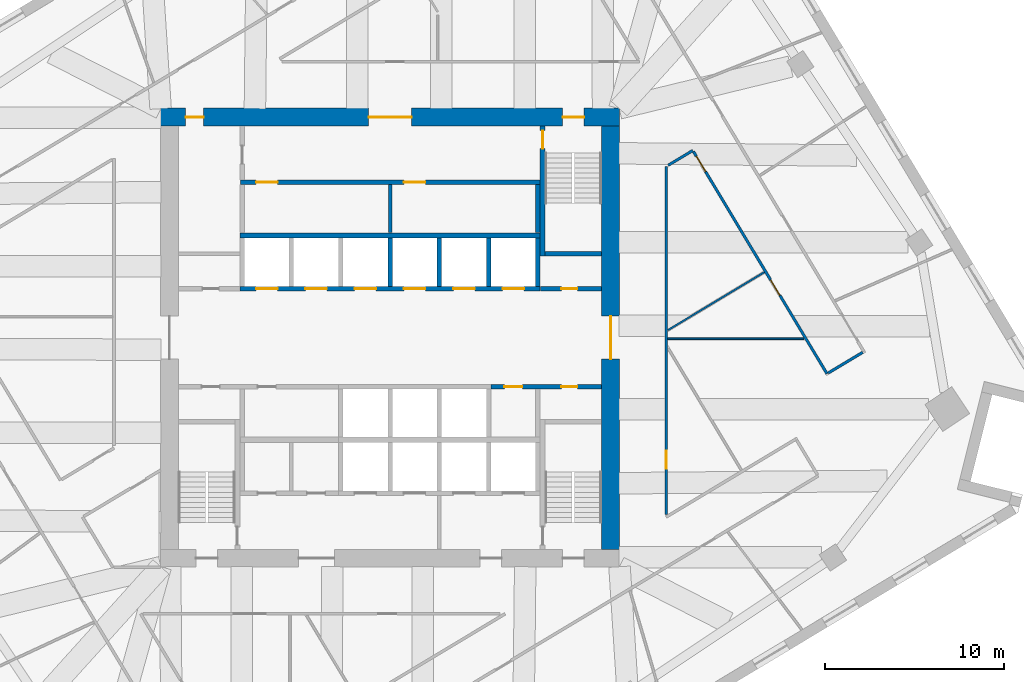
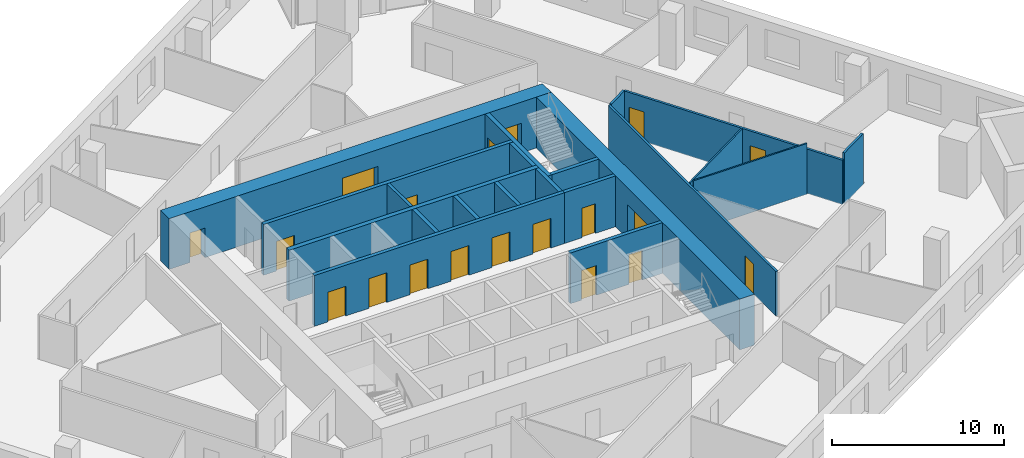
# One storey, part 9 of 14: 21 walls, 19 doors, 19 openings.
"""IFC4 building model written with IfcOpenShell, lengths in metres."""

from ifc_helpers import new_model, si_unit, direction, frame, frame_2d, origin, place, context, subcontext, project, spatial, rectangle, extrude, material, layer, layer_set, type_object, element, fill, save


model = new_model("IFC4")

# Units and contexts
model_context = context("Model", 3, precision=1e-05, world=origin(), true_north=direction((0.0, 1.0)))
body_context = subcontext(model_context, "Body", "Model", "MODEL_VIEW")
ifc_project = project(units=[si_unit("LENGTHUNIT", "METRE"), si_unit("AREAUNIT", "SQUARE_METRE"), si_unit("VOLUMEUNIT", "CUBIC_METRE"), si_unit("PLANEANGLEUNIT", "RADIAN"), si_unit("MASSUNIT", "GRAM", prefix="KILO")], contexts=[model_context])

# Site, building, storey
site_placement = place(None, origin())
site = spatial("IfcSite", under=ifc_project, at=site_placement, CompositionType="ELEMENT")
building_placement = place(site_placement, origin())
building = spatial("IfcBuilding", under=site, at=building_placement, Name="Dilmun Exchange Tower", CompositionType="ELEMENT")
storey_placement = place(building_placement, frame((0.0, 0.0, 147.699951171875)))
storey = spatial("IfcBuildingStorey", under=building, at=storey_placement, Name="L34", CompositionType="ELEMENT", Elevation=147.699951171875)

# Wall
ifc_material_1 = material(Name="Concrete C40/50", Category="concrete")
ifc_layer_1 = layer(ifc_material_1, 0.199951171875)
ifc_layer_set_1 = layer_set([ifc_layer_1], Name="Concrete C40/50")
wall_type_1 = type_object("IfcWallType", Name="Core partition wall 200", PredefinedType="PARTITIONING", material=ifc_layer_set_1)
wall_1_placement = place(storey_placement, frame((0.0, 5.85498046875, 0.0), z_axis=(0.0, 0.0, 1.0), x_axis=(0.0, 1.0, 0.0)))
element("IfcWall", 1, at=wall_1_placement, inside=storey, type_object=wall_type_1, Name="L34 core partition wall 14", PredefinedType="PARTITIONING", context=body_context, shape_type="SweptSolid", body=[
    extrude(rectangle(XDim=2.68994140625, YDim=0.199951171875, at=frame_2d((1.344970703125, 0.0))), origin(), (0.0, 0.0, 1.0), 3.60009765625),
])

# Wall, openings, doors
ifc_layer_2 = layer(ifc_material_1, 0.25)
ifc_layer_set_2 = layer_set([ifc_layer_2], Name="Concrete C40/50")
wall_type_2 = type_object("IfcWallType", Name="Core partition wall 250", PredefinedType="PARTITIONING", material=ifc_layer_set_2)
wall_2_placement = place(storey_placement, frame((5.6298828125, -2.72509765625, 0.0), z_axis=(0.0, 0.0, 1.0), x_axis=(1.0, 0.0, 0.0)))
wall_2 = element("IfcWall", 2, at=wall_2_placement, inside=storey, type_object=wall_type_2, Name="L34 core partition wall 09", PredefinedType="PARTITIONING", context=body_context, shape_type="SweptSolid", body=[
    extrude(rectangle(XDim=6.1650390625, YDim=0.25, at=frame_2d((3.08251953125, 0.0))), origin(), (0.0, 0.0, 1.0), 3.60009765625),
])
opening_1_placement = place(wall_2_placement, frame((0.7451171875, 0.0, 0.0)))
opening_1 = element("IfcOpeningElement", 3, at=opening_1_placement, cuts=wall_2, Name="Opening CD4", PredefinedType="OPENING", context=body_context, shape_type="SweptSolid", body=[
    extrude(rectangle(XDim=1.0, YDim=2.10009765625, at=frame_2d((0.5, 1.050048828125))), frame((0.0, 0.135009765625, 0.0), z_axis=(0.0, -1.0, 0.0), x_axis=(1.0, 0.0, 0.0)), (0.0, 0.0, 1.0), 0.27001953125),
])
opening_2_placement = place(wall_2_placement, frame((3.919921875, 0.0, 0.0)))
opening_2 = element("IfcOpeningElement", 4, at=opening_2_placement, cuts=wall_2, Name="Opening CD6", PredefinedType="OPENING", context=body_context, shape_type="SweptSolid", body=[
    extrude(rectangle(XDim=0.89990234375, YDim=2.10009765625, at=frame_2d((0.449951171875, 1.050048828125))), frame((0.0, 0.135009765625, 0.0), z_axis=(0.0, -1.0, 0.0), x_axis=(1.0, 0.0, 0.0)), (0.0, 0.0, 1.0), 0.27001953125),
])
ifc_material_2 = material(Name="Fire-rated steel door set", Category="steel")
door_type_1 = type_object("IfcDoorType", Name="Core room door 1000x2100", OperationType="SINGLE_SWING_LEFT", PredefinedType="DOOR", material=ifc_material_2)
door_1_placement = place(opening_1_placement, origin())
door_1 = element("IfcDoor", 5, at=door_1_placement, inside=storey, type_object=door_type_1, Name="L34 door Cleaners' store", OperationType="SINGLE_SWING_LEFT", OverallHeight=2.10009765625, OverallWidth=1.0, PredefinedType="DOOR", context=body_context, shape_type="SweptSolid", body=[
    extrude(rectangle(XDim=1.0, YDim=2.10009765625, at=frame_2d((0.5, 1.050048828125))), frame((0.0, 0.02490234375, 0.0), z_axis=(0.0, -1.0, 0.0), x_axis=(1.0, 0.0, 0.0)), (0.0, 0.0, 1.0), 0.050048828125),
])
fill(opening_1, door_1)
door_type_2 = type_object("IfcDoorType", Name="Core room door 900x2100", OperationType="SINGLE_SWING_LEFT", PredefinedType="DOOR", material=ifc_material_2)
door_2_placement = place(opening_2_placement, origin())
door_2 = element("IfcDoor", 6, at=door_2_placement, inside=storey, type_object=door_type_2, Name="L34 door Comms riser", OperationType="SINGLE_SWING_LEFT", OverallHeight=2.10009765625, OverallWidth=0.89990234375, PredefinedType="DOOR", context=body_context, shape_type="SweptSolid", body=[
    extrude(rectangle(XDim=0.89990234375, YDim=2.10009765625, at=frame_2d((0.449951171875, 1.050048828125))), frame((0.0, 0.02490234375, 0.0), z_axis=(0.0, -1.0, 0.0), x_axis=(1.0, 0.0, 0.0)), (0.0, 0.0, 1.0), 0.050048828125),
])
fill(opening_2, door_2)

# Wall, opening, door
wall_3_placement = place(storey_placement, frame((8.3798828125, 2.72509765625, 0.0), z_axis=(0.0, 0.0, 1.0), x_axis=(1.0, 0.0, 0.0)))
wall_3 = element("IfcWall", 7, at=wall_3_placement, inside=storey, type_object=wall_type_2, Name="L34 core partition wall 11", PredefinedType="PARTITIONING", context=body_context, shape_type="SweptSolid", body=[
    extrude(rectangle(XDim=3.4150390625, YDim=0.25, at=frame_2d((1.70751953125, 0.0))), origin(), (0.0, 0.0, 1.0), 3.60009765625),
])
opening_3_placement = place(wall_3_placement, frame((1.169921875, 0.0, 0.0)))
opening_3 = element("IfcOpeningElement", 8, at=opening_3_placement, cuts=wall_3, Name="Opening CD6", PredefinedType="OPENING", context=body_context, shape_type="SweptSolid", body=[
    extrude(rectangle(XDim=0.89990234375, YDim=2.10009765625, at=frame_2d((0.449951171875, 1.050048828125))), frame((0.0, 0.135009765625, 0.0), z_axis=(0.0, -1.0, 0.0), x_axis=(1.0, 0.0, 0.0)), (0.0, 0.0, 1.0), 0.27001953125),
])
door_3_placement = place(opening_3_placement, origin())
door_3 = element("IfcDoor", 9, at=door_3_placement, inside=storey, type_object=door_type_2, Name="L34 door Electrical riser", OperationType="SINGLE_SWING_LEFT", OverallHeight=2.10009765625, OverallWidth=0.89990234375, PredefinedType="DOOR", context=body_context, shape_type="SweptSolid", body=[
    extrude(rectangle(XDim=0.89990234375, YDim=2.10009765625, at=frame_2d((0.449951171875, 1.050048828125))), frame((0.0, 0.02490234375, 0.0), z_axis=(0.0, -1.0, 0.0), x_axis=(1.0, 0.0, 0.0)), (0.0, 0.0, 1.0), 0.050048828125),
])
fill(opening_3, door_3)

# Wall
wall_4_placement = place(storey_placement, frame((8.25, 5.85498046875, 0.0), z_axis=(0.0, 0.0, 1.0), x_axis=(0.0, 1.0, 0.0)))
element("IfcWall", 10, at=wall_4_placement, inside=storey, type_object=wall_type_2, Name="L34 core partition wall 15", PredefinedType="PARTITIONING", context=body_context, shape_type="SweptSolid", body=[
    extrude(rectangle(XDim=2.68994140625, YDim=0.25, at=frame_2d((1.344970703125, 0.0))), origin(), (0.0, 0.0, 1.0), 3.60009765625),
])

# Wall, openings, doors
wall_5_placement = place(storey_placement, frame((-8.35009765625, 8.675048828125, 0.0), z_axis=(0.0, 0.0, 1.0), x_axis=(1.0, 0.0, 0.0)))
wall_5 = element("IfcWall", 11, at=wall_5_placement, inside=storey, type_object=wall_type_2, Name="L34 core partition wall 16", PredefinedType="PARTITIONING", context=body_context, shape_type="SweptSolid", body=[
    extrude(rectangle(XDim=16.72021484375, YDim=0.25, at=frame_2d((8.360107421875, 0.0))), origin(), (0.0, 0.0, 1.0), 3.60009765625),
])
opening_4_placement = place(wall_5_placement, frame((0.875, 0.0, 0.0)))
opening_4 = element("IfcOpeningElement", 12, at=opening_4_placement, cuts=wall_5, Name="Opening CD3", PredefinedType="OPENING", context=body_context, shape_type="SweptSolid", body=[
    extrude(rectangle(XDim=1.199951171875, YDim=2.10009765625, at=frame_2d((0.60009765625, 1.050048828125))), frame((0.0, 0.135009765625, 0.0), z_axis=(0.0, -1.0, 0.0), x_axis=(1.0, 0.0, 0.0)), (0.0, 0.0, 1.0), 0.27001953125),
])
opening_5_placement = place(wall_5_placement, frame((9.125, 0.0, 0.0)))
opening_5 = element("IfcOpeningElement", 13, at=opening_5_placement, cuts=wall_5, Name="Opening CD3", PredefinedType="OPENING", context=body_context, shape_type="SweptSolid", body=[
    extrude(rectangle(XDim=1.199951171875, YDim=2.10009765625, at=frame_2d((0.60009765625, 1.050048828125))), frame((0.0, 0.135009765625, 0.0), z_axis=(0.0, -1.0, 0.0), x_axis=(1.0, 0.0, 0.0)), (0.0, 0.0, 1.0), 0.27001953125),
])
door_type_3 = type_object("IfcDoorType", Name="Stair exit door 1200x2100", OperationType="SINGLE_SWING_LEFT", PredefinedType="DOOR", material=ifc_material_2)
door_4_placement = place(opening_4_placement, origin())
door_4 = element("IfcDoor", 14, at=door_4_placement, inside=storey, type_object=door_type_3, Name="L34 door Tenant meeting suite", OperationType="SINGLE_SWING_LEFT", OverallHeight=2.10009765625, OverallWidth=1.199951171875, PredefinedType="DOOR", context=body_context, shape_type="SweptSolid", body=[
    extrude(rectangle(XDim=1.199951171875, YDim=2.10009765625, at=frame_2d((0.60009765625, 1.050048828125))), frame((0.0, 0.02490234375, 0.0), z_axis=(0.0, -1.0, 0.0), x_axis=(1.0, 0.0, 0.0)), (0.0, 0.0, 1.0), 0.050048828125),
])
fill(opening_4, door_4)
door_5_placement = place(opening_5_placement, origin())
door_5 = element("IfcDoor", 15, at=door_5_placement, inside=storey, type_object=door_type_3, Name="L34 door Tenant amenity store", OperationType="SINGLE_SWING_LEFT", OverallHeight=2.10009765625, OverallWidth=1.199951171875, PredefinedType="DOOR", context=body_context, shape_type="SweptSolid", body=[
    extrude(rectangle(XDim=1.199951171875, YDim=2.10009765625, at=frame_2d((0.60009765625, 1.050048828125))), frame((0.0, 0.02490234375, 0.0), z_axis=(0.0, -1.0, 0.0), x_axis=(1.0, 0.0, 0.0)), (0.0, 0.0, 1.0), 0.050048828125),
])
fill(opening_5, door_5)

ifc_material_3 = material(Name="Concrete C70/85", Category="concrete")
ifc_layer_3 = layer(ifc_material_3, 1.0)
ifc_layer_set_3 = layer_set([ifc_layer_3], Name="Concrete C70/85")
wall_type_3 = type_object("IfcWallType", Name="Core shear wall 1000 Concrete C70/85", PredefinedType="SHEAR", material=ifc_layer_set_3)
wall_6_placement = place(storey_placement, frame((-12.800048828125, 12.300048828125, 0.0), z_axis=(0.0, 0.0, 1.0), x_axis=(1.0, 0.0, 0.0)))
wall_6 = element("IfcWall", 16, at=wall_6_placement, inside=storey, type_object=wall_type_3, Name="L34 core shear wall N", PredefinedType="SHEAR", context=body_context, shape_type="SweptSolid", body=[
    extrude(rectangle(XDim=25.60009765625, YDim=1.0, at=frame_2d((12.800048828125, 0.0))), origin(), (0.0, 0.0, 1.0), 3.60009765625),
])
opening_6_placement = place(wall_6_placement, frame((11.60009765625, 0.0, 0.0)))
opening_6 = element("IfcOpeningElement", 17, at=opening_6_placement, cuts=wall_6, Name="Opening CD1", PredefinedType="OPENING", context=body_context, shape_type="SweptSolid", body=[
    extrude(rectangle(XDim=2.39990234375, YDim=2.39990234375, at=frame_2d((1.199951171875, 1.199951171875))), frame((0.0, 0.510009765625, 0.0), z_axis=(0.0, -1.0, 0.0), x_axis=(1.0, 0.0, 0.0)), (0.0, 0.0, 1.0), 1.02001953125),
])
opening_7_placement = place(wall_6_placement, frame((22.425048828125, 0.0, 0.0)))
opening_7 = element("IfcOpeningElement", 18, at=opening_7_placement, cuts=wall_6, Name="Opening CD3", PredefinedType="OPENING", context=body_context, shape_type="SweptSolid", body=[
    extrude(rectangle(XDim=1.199951171875, YDim=2.10009765625, at=frame_2d((0.60009765625, 1.050048828125))), frame((0.0, 0.510009765625, 0.0), z_axis=(0.0, -1.0, 0.0), x_axis=(1.0, 0.0, 0.0)), (0.0, 0.0, 1.0), 1.02001953125),
])
opening_8_placement = place(wall_6_placement, frame((1.39990234375, 0.0, 0.0)))
opening_8 = element("IfcOpeningElement", 19, at=opening_8_placement, cuts=wall_6, Name="Opening CD4", PredefinedType="OPENING", context=body_context, shape_type="SweptSolid", body=[
    extrude(rectangle(XDim=1.0, YDim=2.10009765625, at=frame_2d((0.5, 1.050048828125))), frame((0.0, 0.510009765625, 0.0), z_axis=(0.0, -1.0, 0.0), x_axis=(1.0, 0.0, 0.0)), (0.0, 0.0, 1.0), 1.02001953125),
])
door_type_4 = type_object("IfcDoorType", Name="Core lobby door 2400x2400", OperationType="DOUBLE_DOOR_DOUBLE_SWING", PredefinedType="DOOR", material=ifc_material_2)
door_6_placement = place(opening_6_placement, origin())
door_6 = element("IfcDoor", 20, at=door_6_placement, inside=storey, type_object=door_type_4, Name="L34 door North lift lobby", OperationType="SINGLE_SWING_LEFT", OverallHeight=2.39990234375, OverallWidth=2.39990234375, PredefinedType="DOOR", context=body_context, shape_type="SweptSolid", body=[
    extrude(rectangle(XDim=2.39990234375, YDim=2.39990234375, at=frame_2d((1.199951171875, 1.199951171875))), frame((0.0, 0.02490234375, 0.0), z_axis=(0.0, -1.0, 0.0), x_axis=(1.0, 0.0, 0.0)), (0.0, 0.0, 1.0), 0.050048828125),
])
fill(opening_6, door_6)
door_7_placement = place(opening_8_placement, origin())
door_7 = element("IfcDoor", 21, at=door_7_placement, inside=storey, type_object=door_type_1, Name="L34 door North-west core rooms", OperationType="SINGLE_SWING_LEFT", OverallHeight=2.10009765625, OverallWidth=1.0, PredefinedType="DOOR", context=body_context, shape_type="SweptSolid", body=[
    extrude(rectangle(XDim=1.0, YDim=2.10009765625, at=frame_2d((0.5, 1.050048828125))), frame((0.0, 0.02490234375, 0.0), z_axis=(0.0, -1.0, 0.0), x_axis=(1.0, 0.0, 0.0)), (0.0, 0.0, 1.0), 0.050048828125),
])
fill(opening_8, door_7)
door_8_placement = place(opening_7_placement, origin())
door_8 = element("IfcDoor", 22, at=door_8_placement, inside=storey, type_object=door_type_3, Name="L34 door Stair ST1", OperationType="SINGLE_SWING_LEFT", OverallHeight=2.10009765625, OverallWidth=1.199951171875, PredefinedType="DOOR", context=body_context, shape_type="SweptSolid", body=[
    extrude(rectangle(XDim=1.199951171875, YDim=2.10009765625, at=frame_2d((0.60009765625, 1.050048828125))), frame((0.0, 0.02490234375, 0.0), z_axis=(0.0, -1.0, 0.0), x_axis=(1.0, 0.0, 0.0)), (0.0, 0.0, 1.0), 0.050048828125),
])
fill(opening_7, door_8)

# Wall, opening, door
wall_7_placement = place(storey_placement, frame((12.300048828125, -11.800048828125, 0.0), z_axis=(0.0, 0.0, 1.0), x_axis=(0.0, 1.0, 0.0)))
wall_7 = element("IfcWall", 23, at=wall_7_placement, inside=storey, type_object=wall_type_3, Name="L34 core shear wall E", PredefinedType="SHEAR", context=body_context, shape_type="SweptSolid", body=[
    extrude(rectangle(XDim=23.60009765625, YDim=1.0, at=frame_2d((11.800048828125, 0.0))), origin(), (0.0, 0.0, 1.0), 3.60009765625),
])
opening_9_placement = place(wall_7_placement, frame((10.60009765625, 0.0, 0.0)))
opening_9 = element("IfcOpeningElement", 24, at=opening_9_placement, cuts=wall_7, Name="Opening CD1", PredefinedType="OPENING", context=body_context, shape_type="SweptSolid", body=[
    extrude(rectangle(XDim=2.39990234375, YDim=2.39990234375, at=frame_2d((1.199951171875, 1.199951171875))), frame((0.0, 0.510009765625, 0.0), z_axis=(0.0, -1.0, 0.0), x_axis=(1.0, 0.0, 0.0)), (0.0, 0.0, 1.0), 1.02001953125),
])
door_9_placement = place(opening_9_placement, origin())
door_9 = element("IfcDoor", 25, at=door_9_placement, inside=storey, type_object=door_type_4, Name="L34 door Central lift lobby", OperationType="SINGLE_SWING_LEFT", OverallHeight=2.39990234375, OverallWidth=2.39990234375, PredefinedType="DOOR", context=body_context, shape_type="SweptSolid", body=[
    extrude(rectangle(XDim=2.39990234375, YDim=2.39990234375, at=frame_2d((1.199951171875, 1.199951171875))), frame((0.0, 0.02490234375, 0.0), z_axis=(0.0, -1.0, 0.0), x_axis=(1.0, 0.0, 0.0)), (0.0, 0.0, 1.0), 0.050048828125),
])
fill(opening_9, door_9)

ifc_material_4 = material(Name="Corridor wall 150")
ifc_layer_4 = layer(ifc_material_4, 0.14990234375)
ifc_layer_set_4 = layer_set([ifc_layer_4], Name="Corridor wall 150")
wall_type_4 = type_object("IfcWallType", Name="Corridor wall 150", PredefinedType="PARTITIONING", material=ifc_layer_set_4)
wall_8_placement = place(storey_placement, frame((15.39990234375, -9.867431640625, 0.0), z_axis=(0.0, 0.0, 1.0), x_axis=(0.0, 1.0, 0.0)))
wall_8 = element("IfcWall", 26, at=wall_8_placement, inside=storey, type_object=wall_type_4, Name="Corridor wall", PredefinedType="PARTITIONING", context=body_context, shape_type="SweptSolid", body=[
    extrude(rectangle(XDim=19.41748046875, YDim=0.14990234375, at=frame_2d((9.708740234375, 0.0))), origin(), (0.0, 0.0, 1.0), 3.150146484375),
])
opening_10_placement = place(wall_8_placement, frame((2.550048828125, 0.0, 0.0)))
opening_10 = element("IfcOpeningElement", 27, at=opening_10_placement, cuts=wall_8, Name="Opening TF34-D17", PredefinedType="OPENING", context=body_context, shape_type="SweptSolid", body=[
    extrude(rectangle(XDim=1.0, YDim=2.10009765625, at=frame_2d((0.5, 1.050048828125))), frame((0.0, 0.0849609375, 0.0), z_axis=(0.0, -1.0, 0.0), x_axis=(1.0, 0.0, 0.0)), (0.0, 0.0, 1.0), 0.169921875),
])
ifc_material_5 = material(Name="Fire door 1000 x 2100")
door_type_5 = type_object("IfcDoorType", Name="Fire door 1000 x 2100", OperationType="NOTDEFINED", PredefinedType="DOOR", material=ifc_material_5)
door_10_placement = place(opening_10_placement, frame((1.0, 0.0, 0.0), z_axis=(0.0, 0.0, 1.0), x_axis=(-1.0, 0.0, 0.0)))
door_10 = element("IfcDoor", 28, at=door_10_placement, inside=storey, type_object=door_type_5, Name="Door TF34-D17", OperationType="SINGLE_SWING_RIGHT", OverallHeight=2.10009765625, OverallWidth=1.0, PredefinedType="DOOR", context=body_context, shape_type="SweptSolid", body=[
    extrude(rectangle(XDim=1.0, YDim=2.10009765625, at=frame_2d((0.5, 1.050048828125))), frame((0.0, 0.02490234375, 0.0), z_axis=(0.0, -1.0, 0.0), x_axis=(1.0, 0.0, 0.0)), (0.0, 0.0, 1.0), 0.050048828125),
])
fill(opening_10, door_10)

# Wall
wall_9_placement = place(storey_placement, frame((15.513671875, 9.618408203125, 0.0), z_axis=(0.0, 0.0, 1.0), x_axis=(0.857129434102, 0.515101090268, 0.0)))
element("IfcWall", 29, at=wall_9_placement, inside=storey, type_object=wall_type_4, Name="Corridor wall", PredefinedType="PARTITIONING", context=body_context, shape_type="SweptSolid", body=[
    extrude(rectangle(XDim=1.60107421875, YDim=0.14990234375, at=frame_2d((0.800537109375, 0.0))), origin(), (0.0, 0.0, 1.0), 3.150146484375),
])

# Wall, openings, doors
wall_10_placement = place(storey_placement, frame((16.924560546875, 10.378662109375, 0.0), z_axis=(0.0, 0.0, 1.0), x_axis=(0.515094231421, -0.857133555962, 0.0)))
wall_10 = element("IfcWall", 30, at=wall_10_placement, inside=storey, type_object=wall_type_4, Name="Corridor wall", PredefinedType="PARTITIONING", context=body_context, shape_type="SweptSolid", body=[
    extrude(rectangle(XDim=14.454833984375, YDim=0.14990234375, at=frame_2d((7.2275390625, 0.0))), origin(), (0.0, 0.0, 1.0), 3.150146484375),
])
opening_11_placement = place(wall_10_placement, frame((0.300048828125, 0.0, 0.0)))
opening_11 = element("IfcOpeningElement", 31, at=opening_11_placement, cuts=wall_10, Name="Opening TF34-D18", PredefinedType="OPENING", context=body_context, shape_type="SweptSolid", body=[
    extrude(rectangle(XDim=1.0, YDim=2.10009765625, at=frame_2d((0.5, 1.050048828125))), frame((0.0, 0.0849609375, 0.0), z_axis=(0.0, -1.0, 0.0), x_axis=(1.0, 0.0, 0.0)), (0.0, 0.0, 1.0), 0.169921875),
])
opening_12_placement = place(wall_10_placement, frame((8.34814453125, 0.0, 0.0)))
opening_12 = element("IfcOpeningElement", 32, at=opening_12_placement, cuts=wall_10, Name="Opening TF34-D20", PredefinedType="OPENING", context=body_context, shape_type="SweptSolid", body=[
    extrude(rectangle(XDim=1.0, YDim=2.10009765625, at=frame_2d((0.5, 1.050048828125))), frame((0.0, 0.0849609375, 0.0), z_axis=(0.0, -1.0, 0.0), x_axis=(1.0, 0.0, 0.0)), (0.0, 0.0, 1.0), 0.169921875),
])
door_11_placement = place(opening_11_placement, frame((1.0, 0.0, 0.0), z_axis=(0.0, 0.0, 1.0), x_axis=(-1.0, 0.0, 0.0)))
door_11 = element("IfcDoor", 33, at=door_11_placement, inside=storey, type_object=door_type_5, Name="Door TF34-D18", OperationType="SINGLE_SWING_RIGHT", OverallHeight=2.10009765625, OverallWidth=1.0, PredefinedType="DOOR", context=body_context, shape_type="SweptSolid", body=[
    extrude(rectangle(XDim=1.0, YDim=2.10009765625, at=frame_2d((0.5, 1.050048828125))), frame((0.0, 0.02490234375, 0.0), z_axis=(0.0, -1.0, 0.0), x_axis=(1.0, 0.0, 0.0)), (0.0, 0.0, 1.0), 0.050048828125),
])
fill(opening_11, door_11)
door_12_placement = place(opening_12_placement, frame((1.0, 0.0, 0.0), z_axis=(0.0, 0.0, 1.0), x_axis=(-1.0, 0.0, 0.0)))
door_12 = element("IfcDoor", 34, at=door_12_placement, inside=storey, type_object=door_type_5, Name="Door TF34-D20", OperationType="SINGLE_SWING_RIGHT", OverallHeight=2.10009765625, OverallWidth=1.0, PredefinedType="DOOR", context=body_context, shape_type="SweptSolid", body=[
    extrude(rectangle(XDim=1.0, YDim=2.10009765625, at=frame_2d((0.5, 1.050048828125))), frame((0.0, 0.02490234375, 0.0), z_axis=(0.0, -1.0, 0.0), x_axis=(1.0, 0.0, 0.0)), (0.0, 0.0, 1.0), 0.050048828125),
])
fill(opening_12, door_12)

# Walls
wall_11_placement = place(storey_placement, frame((24.434326171875, -1.972412109375, 0.0), z_axis=(0.0, 0.0, 1.0), x_axis=(0.857176787658, 0.515022285634, 0.0)))
element("IfcWall", 35, at=wall_11_placement, inside=storey, type_object=wall_type_4, Name="Corridor wall", PredefinedType="PARTITIONING", context=body_context, shape_type="SweptSolid", body=[
    extrude(rectangle(XDim=2.249755859375, YDim=0.14990234375, at=frame_2d((1.125, 0.0))), origin(), (0.0, 0.0, 1.0), 3.60009765625),
])
ifc_layer_5 = layer(ifc_material_1, 0.300048828125)
ifc_layer_set_5 = layer_set([ifc_layer_5], Name="Concrete C40/50")
wall_type_5 = type_object("IfcWallType", Name="Lift shaft shared wall 300", PredefinedType="SOLIDWALL", material=ifc_layer_set_5)
wall_12_placement = place(storey_placement, frame((-8.375, 5.699951171875, 0.0), z_axis=(0.0, 0.0, 1.0), x_axis=(1.0, 0.0, 0.0)))
element("IfcWall", 36, at=wall_12_placement, inside=storey, type_object=wall_type_5, Name="L34 lift shaft rear wall N", PredefinedType="SOLIDWALL", context=body_context, shape_type="SweptSolid", body=[
    extrude(rectangle(XDim=16.75, YDim=0.300048828125, at=frame_2d((8.375, 0.0))), origin(), (0.0, 0.0, 1.0), 3.60009765625),
])

# Wall, openings, doors
ifc_layer_6 = layer(ifc_material_1, 0.25)
ifc_layer_set_6 = layer_set([ifc_layer_6], Name="Concrete C40/50")
wall_type_6 = type_object("IfcWallType", Name="Lift shaft wall 250", PredefinedType="SOLIDWALL", material=ifc_layer_set_6)
wall_13_placement = place(storey_placement, frame((-8.375, 2.72509765625, 0.0), z_axis=(0.0, 0.0, 1.0), x_axis=(1.0, 0.0, 0.0)))
wall_13 = element("IfcWall", 37, at=wall_13_placement, inside=storey, type_object=wall_type_6, Name="L34 lift shaft front wall N1", PredefinedType="SOLIDWALL", context=body_context, shape_type="SweptSolid", body=[
    extrude(rectangle(XDim=16.75, YDim=0.25, at=frame_2d((8.375, 0.0))), origin(), (0.0, 0.0, 1.0), 3.60009765625),
])
opening_13_placement = place(wall_13_placement, frame((0.89990234375, 0.0, 0.0)))
opening_13 = element("IfcOpeningElement", 38, at=opening_13_placement, cuts=wall_13, Name="Opening LD", PredefinedType="OPENING", context=body_context, shape_type="SweptSolid", body=[
    extrude(rectangle(XDim=1.199951171875, YDim=2.10009765625, at=frame_2d((0.60009765625, 1.050048828125))), frame((0.0, 0.135009765625, 0.0), z_axis=(0.0, -1.0, 0.0), x_axis=(1.0, 0.0, 0.0)), (0.0, 0.0, 1.0), 0.27001953125),
])
opening_14_placement = place(wall_13_placement, frame((3.64990234375, 0.0, 0.0)))
opening_14 = element("IfcOpeningElement", 39, at=opening_14_placement, cuts=wall_13, Name="Opening LD", PredefinedType="OPENING", context=body_context, shape_type="SweptSolid", body=[
    extrude(rectangle(XDim=1.199951171875, YDim=2.10009765625, at=frame_2d((0.60009765625, 1.050048828125))), frame((0.0, 0.135009765625, 0.0), z_axis=(0.0, -1.0, 0.0), x_axis=(1.0, 0.0, 0.0)), (0.0, 0.0, 1.0), 0.27001953125),
])
opening_15_placement = place(wall_13_placement, frame((6.39990234375, 0.0, 0.0)))
opening_15 = element("IfcOpeningElement", 40, at=opening_15_placement, cuts=wall_13, Name="Opening LD", PredefinedType="OPENING", context=body_context, shape_type="SweptSolid", body=[
    extrude(rectangle(XDim=1.199951171875, YDim=2.10009765625, at=frame_2d((0.60009765625, 1.050048828125))), frame((0.0, 0.135009765625, 0.0), z_axis=(0.0, -1.0, 0.0), x_axis=(1.0, 0.0, 0.0)), (0.0, 0.0, 1.0), 0.27001953125),
])
opening_16_placement = place(wall_13_placement, frame((9.14990234375, 0.0, 0.0)))
opening_16 = element("IfcOpeningElement", 41, at=opening_16_placement, cuts=wall_13, Name="Opening LD", PredefinedType="OPENING", context=body_context, shape_type="SweptSolid", body=[
    extrude(rectangle(XDim=1.199951171875, YDim=2.10009765625, at=frame_2d((0.60009765625, 1.050048828125))), frame((0.0, 0.135009765625, 0.0), z_axis=(0.0, -1.0, 0.0), x_axis=(1.0, 0.0, 0.0)), (0.0, 0.0, 1.0), 0.27001953125),
])
opening_17_placement = place(wall_13_placement, frame((11.89990234375, 0.0, 0.0)))
opening_17 = element("IfcOpeningElement", 42, at=opening_17_placement, cuts=wall_13, Name="Opening LD", PredefinedType="OPENING", context=body_context, shape_type="SweptSolid", body=[
    extrude(rectangle(XDim=1.199951171875, YDim=2.10009765625, at=frame_2d((0.60009765625, 1.050048828125))), frame((0.0, 0.135009765625, 0.0), z_axis=(0.0, -1.0, 0.0), x_axis=(1.0, 0.0, 0.0)), (0.0, 0.0, 1.0), 0.27001953125),
])
opening_18_placement = place(wall_13_placement, frame((14.64990234375, 0.0, 0.0)))
opening_18 = element("IfcOpeningElement", 43, at=opening_18_placement, cuts=wall_13, Name="Opening LD", PredefinedType="OPENING", context=body_context, shape_type="SweptSolid", body=[
    extrude(rectangle(XDim=1.199951171875, YDim=2.10009765625, at=frame_2d((0.60009765625, 1.050048828125))), frame((0.0, 0.135009765625, 0.0), z_axis=(0.0, -1.0, 0.0), x_axis=(1.0, 0.0, 0.0)), (0.0, 0.0, 1.0), 0.27001953125),
])
door_type_6 = type_object("IfcDoorType", Name="Lift landing door 1200x2100", OperationType="DOUBLE_DOOR_SLIDING", PredefinedType="DOOR", material=ifc_material_2)
door_13_placement = place(opening_13_placement, origin())
door_13 = element("IfcDoor", 44, at=door_13_placement, inside=storey, type_object=door_type_6, Name="L34 landing door MR1", OperationType="DOUBLE_DOOR_SLIDING", OverallHeight=2.10009765625, OverallWidth=1.199951171875, PredefinedType="DOOR", context=body_context, shape_type="SweptSolid", body=[
    extrude(rectangle(XDim=1.199951171875, YDim=2.10009765625, at=frame_2d((0.60009765625, 1.050048828125))), frame((0.0, 0.02490234375, 0.0), z_axis=(0.0, -1.0, 0.0), x_axis=(1.0, 0.0, 0.0)), (0.0, 0.0, 1.0), 0.050048828125),
])
fill(opening_13, door_13)
door_14_placement = place(opening_14_placement, origin())
door_14 = element("IfcDoor", 45, at=door_14_placement, inside=storey, type_object=door_type_6, Name="L34 landing door MR2", OperationType="DOUBLE_DOOR_SLIDING", OverallHeight=2.10009765625, OverallWidth=1.199951171875, PredefinedType="DOOR", context=body_context, shape_type="SweptSolid", body=[
    extrude(rectangle(XDim=1.199951171875, YDim=2.10009765625, at=frame_2d((0.60009765625, 1.050048828125))), frame((0.0, 0.02490234375, 0.0), z_axis=(0.0, -1.0, 0.0), x_axis=(1.0, 0.0, 0.0)), (0.0, 0.0, 1.0), 0.050048828125),
])
fill(opening_14, door_14)
door_15_placement = place(opening_15_placement, origin())
door_15 = element("IfcDoor", 46, at=door_15_placement, inside=storey, type_object=door_type_6, Name="L34 landing door MR3", OperationType="DOUBLE_DOOR_SLIDING", OverallHeight=2.10009765625, OverallWidth=1.199951171875, PredefinedType="DOOR", context=body_context, shape_type="SweptSolid", body=[
    extrude(rectangle(XDim=1.199951171875, YDim=2.10009765625, at=frame_2d((0.60009765625, 1.050048828125))), frame((0.0, 0.02490234375, 0.0), z_axis=(0.0, -1.0, 0.0), x_axis=(1.0, 0.0, 0.0)), (0.0, 0.0, 1.0), 0.050048828125),
])
fill(opening_15, door_15)
door_16_placement = place(opening_16_placement, origin())
door_16 = element("IfcDoor", 47, at=door_16_placement, inside=storey, type_object=door_type_6, Name="L34 landing door MR4", OperationType="DOUBLE_DOOR_SLIDING", OverallHeight=2.10009765625, OverallWidth=1.199951171875, PredefinedType="DOOR", context=body_context, shape_type="SweptSolid", body=[
    extrude(rectangle(XDim=1.199951171875, YDim=2.10009765625, at=frame_2d((0.60009765625, 1.050048828125))), frame((0.0, 0.02490234375, 0.0), z_axis=(0.0, -1.0, 0.0), x_axis=(1.0, 0.0, 0.0)), (0.0, 0.0, 1.0), 0.050048828125),
])
fill(opening_16, door_16)
door_17_placement = place(opening_17_placement, origin())
door_17 = element("IfcDoor", 48, at=door_17_placement, inside=storey, type_object=door_type_6, Name="L34 landing door MR5", OperationType="DOUBLE_DOOR_SLIDING", OverallHeight=2.10009765625, OverallWidth=1.199951171875, PredefinedType="DOOR", context=body_context, shape_type="SweptSolid", body=[
    extrude(rectangle(XDim=1.199951171875, YDim=2.10009765625, at=frame_2d((0.60009765625, 1.050048828125))), frame((0.0, 0.02490234375, 0.0), z_axis=(0.0, -1.0, 0.0), x_axis=(1.0, 0.0, 0.0)), (0.0, 0.0, 1.0), 0.050048828125),
])
fill(opening_17, door_17)
door_18_placement = place(opening_18_placement, origin())
door_18 = element("IfcDoor", 49, at=door_18_placement, inside=storey, type_object=door_type_6, Name="L34 landing door MR6", OperationType="DOUBLE_DOOR_SLIDING", OverallHeight=2.10009765625, OverallWidth=1.199951171875, PredefinedType="DOOR", context=body_context, shape_type="SweptSolid", body=[
    extrude(rectangle(XDim=1.199951171875, YDim=2.10009765625, at=frame_2d((0.60009765625, 1.050048828125))), frame((0.0, 0.02490234375, 0.0), z_axis=(0.0, -1.0, 0.0), x_axis=(1.0, 0.0, 0.0)), (0.0, 0.0, 1.0), 0.050048828125),
])
fill(opening_18, door_18)

# Walls
for number, where, z_axis, x_axis, name in (
    (50, (0.0, 2.85009765625, 0.0), (0.0, 0.0, 1.0), (0.0, 1.0, 0.0), "L34 lift shaft divider N13"),
    (51, (2.75, 2.85009765625, 0.0), (0.0, 0.0, 1.0), (0.0, 1.0, 0.0), "L34 lift shaft divider N14"),
    (52, (5.5, 2.85009765625, 0.0), (0.0, 0.0, 1.0), (0.0, 1.0, 0.0), "L34 lift shaft divider N15"),
    (53, (8.25, 2.85009765625, 0.0), (0.0, 0.0, 1.0), (0.0, 1.0, 0.0), "L34 lift shaft divider N16"),
):
    element("IfcWall", number, at=place(storey_placement, frame(where, z_axis=z_axis, x_axis=x_axis)), inside=storey, type_object=wall_type_6, Name=name, PredefinedType="SOLIDWALL", context=body_context, shape_type="SweptSolid", body=[
        extrude(rectangle(XDim=2.699951171875, YDim=0.25, at=frame_2d((1.35009765625, 0.0))), origin(), (0.0, 0.0, 1.0), 3.60009765625),
    ])
ifc_material_6 = material(Name="Partition 100")
ifc_layer_7 = layer(ifc_material_6, 0.10009765625)
ifc_layer_set_7 = layer_set([ifc_layer_7], Name="Partition 100")
wall_type_7 = type_object("IfcWallType", Name="Partition 100", PredefinedType="PARTITIONING", material=ifc_layer_set_7)
wall_14_placement = place(storey_placement, frame((15.47509765625, -0.055908203125, 0.0), z_axis=(0.0, 0.0, 1.0), x_axis=(1.0, 0.0, 0.0)))
element("IfcWall", 54, at=wall_14_placement, inside=storey, type_object=wall_type_7, Name="Partition", PredefinedType="PARTITIONING", context=body_context, shape_type="SweptSolid", body=[
    extrude(rectangle(XDim=7.602294921875, YDim=0.10009765625, at=frame_2d((3.80126953125, 0.0))), origin(), (0.0, 0.0, 1.0), 3.60009765625),
])
wall_15_placement = place(storey_placement, frame((15.500732421875, 0.425537109375, 0.0), z_axis=(0.0, 0.0, 1.0), x_axis=(0.857114899057, 0.515125275845, 0.0)))
element("IfcWall", 55, at=wall_15_placement, inside=storey, type_object=wall_type_7, Name="Partition", PredefinedType="PARTITIONING", context=body_context, shape_type="SweptSolid", body=[
    extrude(rectangle(XDim=6.272216796875, YDim=0.10009765625, at=frame_2d((3.13623046875, 0.0))), origin(), (0.0, 0.0, 1.0), 3.150146484375),
])
ifc_layer_8 = layer(ifc_material_1, 0.25)
ifc_layer_set_8 = layer_set([ifc_layer_8], Name="Concrete C40/50")
wall_type_8 = type_object("IfcWallType", Name="Stair end wall 250", PredefinedType="SOLIDWALL", material=ifc_layer_set_8)
wall_16_placement = place(storey_placement, frame((8.64990234375, 4.675048828125, 0.0), z_axis=(0.0, 0.0, 1.0), x_axis=(1.0, 0.0, 0.0)))
element("IfcWall", 56, at=wall_16_placement, inside=storey, type_object=wall_type_8, Name="L34 ST1 far wall", PredefinedType="SOLIDWALL", context=body_context, shape_type="SweptSolid", body=[
    extrude(rectangle(XDim=3.150146484375, YDim=0.25, at=frame_2d((1.5751953125, 0.0))), origin(), (0.0, 0.0, 1.0), 3.60009765625),
])

# Wall, opening, door
ifc_layer_9 = layer(ifc_material_1, 0.27490234375)
ifc_layer_set_9 = layer_set([ifc_layer_9], Name="Concrete C40/50")
wall_type_9 = type_object("IfcWallType", Name="Stair wall 275", PredefinedType="SOLIDWALL", material=ifc_layer_set_9)
wall_17_placement = place(storey_placement, frame((8.512451171875, 4.550048828125, 0.0), z_axis=(0.0, 0.0, 1.0), x_axis=(0.0, 1.0, 0.0)))
wall_17 = element("IfcWall", 57, at=wall_17_placement, inside=storey, type_object=wall_type_9, Name="L34 ST1 wall to lift block", PredefinedType="SOLIDWALL", context=body_context, shape_type="SweptSolid", body=[
    extrude(rectangle(XDim=7.25, YDim=0.27490234375, at=frame_2d((3.625, 0.0))), origin(), (0.0, 0.0, 1.0), 3.60009765625),
])
opening_19_placement = place(wall_17_placement, frame((6.0, 0.0, 0.0)))
opening_19 = element("IfcOpeningElement", 58, at=opening_19_placement, cuts=wall_17, Name="Opening CD4", PredefinedType="OPENING", context=body_context, shape_type="SweptSolid", body=[
    extrude(rectangle(XDim=1.0, YDim=2.10009765625, at=frame_2d((0.5, 1.050048828125))), frame((0.0, 0.1474609375, 0.0), z_axis=(0.0, -1.0, 0.0), x_axis=(1.0, 0.0, 0.0)), (0.0, 0.0, 1.0), 0.294921875),
])
door_19_placement = place(opening_19_placement, origin())
door_19 = element("IfcDoor", 59, at=door_19_placement, inside=storey, type_object=door_type_1, Name="L34 door ST1 from lobby", OperationType="SINGLE_SWING_LEFT", OverallHeight=2.10009765625, OverallWidth=1.0, PredefinedType="DOOR", context=body_context, shape_type="SweptSolid", body=[
    extrude(rectangle(XDim=1.0, YDim=2.10009765625, at=frame_2d((0.5, 1.050048828125))), frame((0.0, 0.02490234375, 0.0), z_axis=(0.0, -1.0, 0.0), x_axis=(1.0, 0.0, 0.0)), (0.0, 0.0, 1.0), 0.050048828125),
])
fill(opening_19, door_19)

save(model, "model.ifc")
